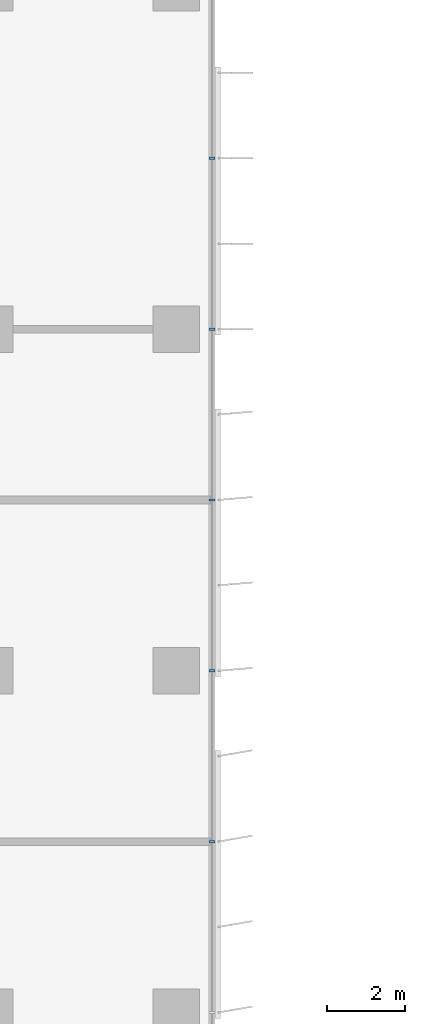
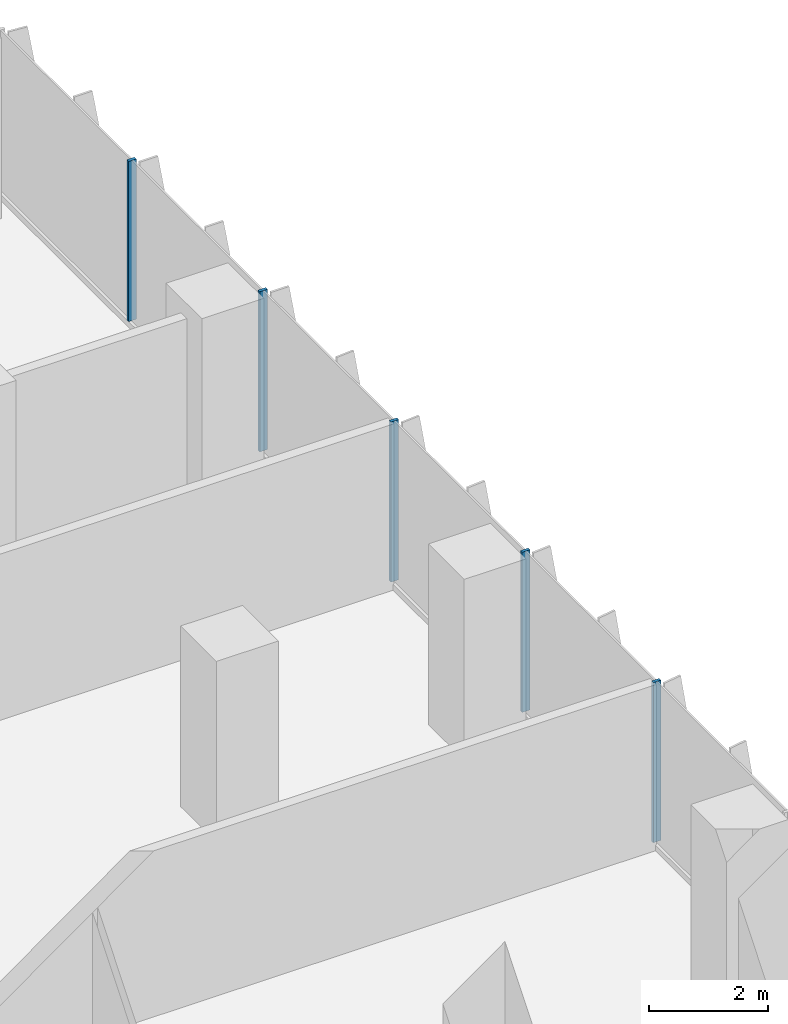
# One storey, part 5 of 22: 5 members, 1 element without a shape of its own.
"""IFC4 building model written with IfcOpenShell, lengths in metres."""

from ifc_helpers import new_model, si_unit, direction, frame, origin, origin_2d, place, context, subcontext, project, spatial, rectangle, extrude, source, transform, mapped, material, material_profile, profile_set, type_object, element, aggregate, save


model = new_model("IFC4")

# Units and contexts
model_context = context("Model", 3, precision=1e-05, world=origin(), true_north=direction((0.0, 1.0)))
body_context = subcontext(model_context, "Body", "Model", "MODEL_VIEW")
ifc_project = project(units=[si_unit("LENGTHUNIT", "METRE"), si_unit("AREAUNIT", "SQUARE_METRE"), si_unit("VOLUMEUNIT", "CUBIC_METRE"), si_unit("PLANEANGLEUNIT", "RADIAN"), si_unit("MASSUNIT", "GRAM", prefix="KILO")], contexts=[model_context])

# Site, building, storey
site_placement = place(None, origin())
site = spatial("IfcSite", under=ifc_project, at=site_placement, CompositionType="ELEMENT")
building_placement = place(site_placement, origin())
building = spatial("IfcBuilding", under=site, at=building_placement, Name="Kemantara Hotel Tower", CompositionType="ELEMENT")
storey_placement = place(building_placement, frame((0.0, 0.0, 94.5)))
storey = spatial("IfcBuildingStorey", under=building, at=storey_placement, Name="L22", CompositionType="ELEMENT", Elevation=94.5)

# Curtain wall, members
ifc_material_1 = material(Name="Low-E tinted double insulated glass 36 mm", Category="glass")
curtain_wall_type = type_object("IfcCurtainWallType", Name="TOWER CURTAIN WALL, FRONT FACES", PredefinedType="USERDEFINED", material=ifc_material_1)
curtain_wall_placement = place(storey_placement, origin())
curtain_wall = element("IfcCurtainWall", 1, at=curtain_wall_placement, inside=storey, type_object=curtain_wall_type, Name="CW4 L22 T2-R14-1", ObjectType="TOWER CURTAIN WALL, FRONT FACES", PredefinedType="USERDEFINED")
ifc_material_2 = material(Name="Aluminium 6063-T6 bronze anodised", Category="aluminium")
ifc_material_profile = material_profile(ifc_material_2, rectangle(XDim=0.14990234375, YDim=0.06005859375, at=origin_2d()), Name="TOWER CURTAIN WALL, FRONT FACES MULLION")
ifc_profile_set = profile_set([ifc_material_profile], Name="Aluminium 6063-T6 bronze anodised")
member_type = type_object("IfcMemberType", Name="TOWER CURTAIN WALL, FRONT FACES MULLION", PredefinedType="MULLION", material=ifc_profile_set)
shared_shape = source(origin(), body_context, "Body", "SweptSolid", [
    extrude(rectangle(XDim=0.14990234375, YDim=0.06005859375, at=origin_2d()), origin(), (0.0, 0.0, 1.0), 3.27978515625),
])
member_1_placement = place(storey_placement, frame((26.72509765625, 31.800048828125, 0.1201171875), z_axis=(0.0, 0.0, 1.0), x_axis=(-1.0, 0.0, 0.0)))
member_1 = element("IfcMember", 2, at=member_1_placement, type_object=member_type, Name="CW4 mullion T2-R14-1.4", PredefinedType="MULLION", context=body_context, shape_type="MappedRepresentation", body=[
    mapped(shared_shape, transform((0.0, 0.0, 0.0))),
])
member_2_placement = place(storey_placement, frame((26.72509765625, 36.199951171875, 0.1201171875), z_axis=(0.0, 0.0, 1.0), x_axis=(-1.0, 0.0, 0.0)))
member_2 = element("IfcMember", 3, at=member_2_placement, type_object=member_type, Name="CW4 mullion T2-R14-1.5", PredefinedType="MULLION", context=body_context, shape_type="MappedRepresentation", body=[
    mapped(shared_shape, transform((0.0, 0.0, 0.0))),
])
member_3_placement = place(storey_placement, frame((26.72509765625, 40.60009765625, 0.1201171875), z_axis=(0.0, 0.0, 1.0), x_axis=(-1.0, 0.0, 0.0)))
member_3 = element("IfcMember", 4, at=member_3_placement, type_object=member_type, Name="CW4 mullion T2-R14-1.6", PredefinedType="MULLION", context=body_context, shape_type="MappedRepresentation", body=[
    mapped(shared_shape, transform((0.0, 0.0, 0.0))),
])
member_4_placement = place(storey_placement, frame((26.72509765625, 45.0, 0.1201171875), z_axis=(0.0, 0.0, 1.0), x_axis=(-1.0, 0.0, 0.0)))
member_4 = element("IfcMember", 5, at=member_4_placement, type_object=member_type, Name="CW4 mullion T2-R14-1.7", PredefinedType="MULLION", context=body_context, shape_type="MappedRepresentation", body=[
    mapped(shared_shape, transform((0.0, 0.0, 0.0))),
])
member_5_placement = place(storey_placement, frame((26.72509765625, 49.39990234375, 0.1201171875), z_axis=(0.0, 0.0, 1.0), x_axis=(-1.0, 0.0, 0.0)))
member_5 = element("IfcMember", 6, at=member_5_placement, type_object=member_type, Name="CW4 mullion T2-R14-1.8", PredefinedType="MULLION", context=body_context, shape_type="MappedRepresentation", body=[
    mapped(shared_shape, transform((0.0, 0.0, 0.0))),
])
aggregate(curtain_wall, [member_1, member_2, member_3, member_4, member_5])

save(model, "model.ifc")
